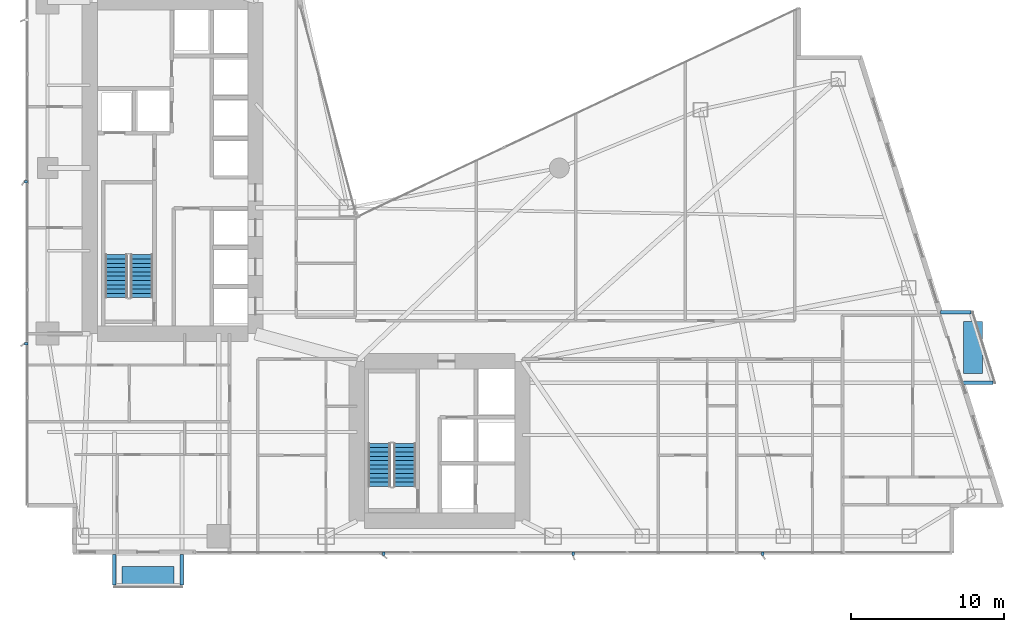
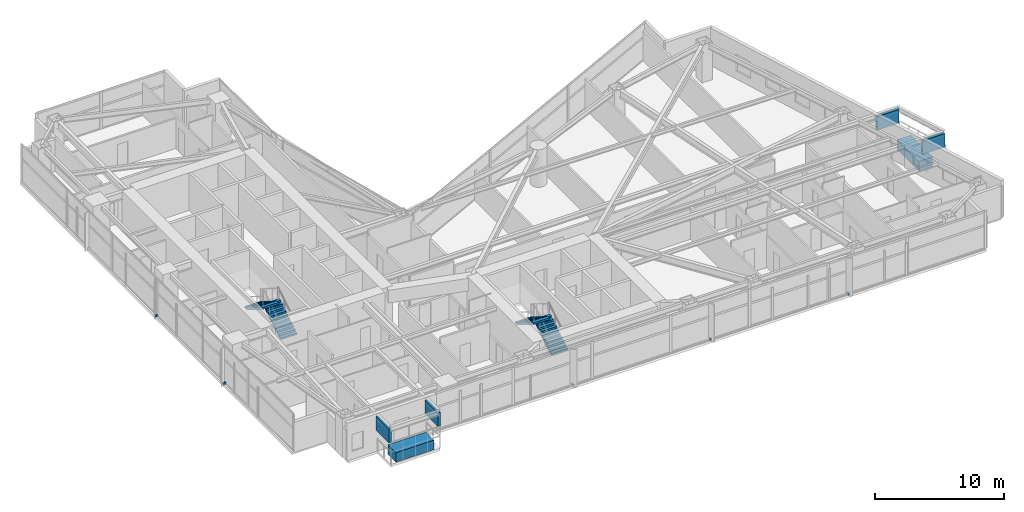
# One storey, part 26 of 29: 11 discrete accessories, 4 stair flights, 2 elements without a shape of their own.
"""IFC4 building model written with IfcOpenShell, lengths in metres."""

from ifc_helpers import new_model, si_unit, direction, frame, origin, origin_2d, place, context, subcontext, project, spatial, polyline, rectangle, outline, extrude, material, type_object, element, aggregate, save


model = new_model("IFC4")

# Units and contexts
model_context = context("Model", 3, precision=1e-05, world=origin(), true_north=direction((0.0, 1.0)))
body_context = subcontext(model_context, "Body", "Model", "MODEL_VIEW")
ifc_project = project(units=[si_unit("LENGTHUNIT", "METRE"), si_unit("AREAUNIT", "SQUARE_METRE"), si_unit("VOLUMEUNIT", "CUBIC_METRE"), si_unit("PLANEANGLEUNIT", "RADIAN"), si_unit("MASSUNIT", "GRAM", prefix="KILO")], contexts=[model_context])

# Site, building, storey
site_placement = place(None, origin())
site = spatial("IfcSite", under=ifc_project, at=site_placement, CompositionType="ELEMENT")
building_placement = place(site_placement, origin())
building = spatial("IfcBuilding", under=site, at=building_placement, Name="Calvorn Quay Hotel", CompositionType="ELEMENT")
storey_placement = place(building_placement, frame((0.0, 0.0, 81.199951171875)))
storey = spatial("IfcBuildingStorey", under=building, at=storey_placement, Name="L19", CompositionType="ELEMENT", Elevation=81.199951171875)

# Stair, stair flights
ifc_material_1 = material(Name="Concrete C40", Category="concrete")
stair_type = type_object("IfcStairType", Name="STR-CORE-DOGLEG", PredefinedType="HALF_TURN_STAIR", material=ifc_material_1)
stair_1_placement = place(storey_placement, origin())
stair_1 = element("IfcStair", 1, at=stair_1_placement, inside=storey, type_object=stair_type, Name="L19 ST-W", PredefinedType="HALF_TURN_STAIR")
ifc_material_2 = material(Name="Concrete C40", Category="concrete")
stair_flight_type = type_object("IfcStairFlightType", Name="FLT-CORE-1550", PredefinedType="STRAIGHT", material=ifc_material_2)
stair_flight_1_placement = place(storey_placement, frame((7.574951171875, 19.14990234375, 0.0), z_axis=(0.0, 0.0, 1.0), x_axis=(0.0, 1.0, 0.0)))
stair_flight_1 = element("IfcStairFlight", 2, at=stair_flight_1_placement, type_object=stair_flight_type, Name="ST-W flight 1", NumberOfRisers=11, NumberOfTreads=10, PredefinedType="STRAIGHT", RiserHeight=0.172727273, TreadLength=0.28, context=body_context, shape_type="SweptSolid", body=[
    extrude(outline(polyline([(0.0, 0.0), (0.0, 0.172607421875), (0.280029296875, 0.172607421875), (0.280029296875, 0.345458984375), (0.56005859375, 0.345458984375), (0.56005859375, 0.51806640625), (0.840087890625, 0.51806640625), (0.840087890625, 0.69091796875), (1.1201171875, 0.69091796875), (1.1201171875, 0.863525390625), (1.39990234375, 0.863525390625), (1.39990234375, 1.036376953125), (1.679931640625, 1.036376953125), (1.679931640625, 1.208984375), (1.9599609375, 1.208984375), (1.9599609375, 1.3818359375), (2.239990234375, 1.3818359375), (2.239990234375, 1.554443359375), (2.52001953125, 1.554443359375), (2.52001953125, 1.727294921875), (2.800048828125, 1.727294921875), (2.800048828125, 1.89990234375), (2.800048828125, 1.551025390625), (0.285400390625, 0.0), (0.0, 0.0)])), frame((0.0, 0.72509765625, 0.0), z_axis=(0.0, -1.0, 0.0), x_axis=(1.0, 0.0, 0.0)), (0.0, 0.0, 1.0), 1.449951171875),
])
stair_flight_2_placement = place(storey_placement, frame((5.925048828125, 21.949951171875, 1.900146484375), z_axis=(0.0, 0.0, 1.0), x_axis=(0.0, -1.0, 0.0)))
stair_flight_2 = element("IfcStairFlight", 3, at=stair_flight_2_placement, type_object=stair_flight_type, Name="ST-W flight 2", NumberOfRisers=11, NumberOfTreads=10, PredefinedType="STRAIGHT", RiserHeight=0.172727273, TreadLength=0.28, context=body_context, shape_type="SweptSolid", body=[
    extrude(outline(polyline([(0.0, 0.0), (0.0, 0.172607421875), (0.280029296875, 0.172607421875), (0.280029296875, 0.345458984375), (0.56005859375, 0.345458984375), (0.56005859375, 0.51806640625), (0.840087890625, 0.51806640625), (0.840087890625, 0.69091796875), (1.1201171875, 0.69091796875), (1.1201171875, 0.863525390625), (1.39990234375, 0.863525390625), (1.39990234375, 1.036376953125), (1.679931640625, 1.036376953125), (1.679931640625, 1.208984375), (1.9599609375, 1.208984375), (1.9599609375, 1.3818359375), (2.239990234375, 1.3818359375), (2.239990234375, 1.554443359375), (2.52001953125, 1.554443359375), (2.52001953125, 1.727294921875), (2.800048828125, 1.727294921875), (2.800048828125, 1.89990234375), (2.800048828125, 1.551025390625), (0.285400390625, 0.0), (0.0, 0.0)])), frame((0.0, 0.72509765625, 0.0), z_axis=(0.0, -1.0, 0.0), x_axis=(1.0, 0.0, 0.0)), (0.0, 0.0, 1.0), 1.449951171875),
])
aggregate(stair_1, [stair_flight_1, stair_flight_2])

stair_2_placement = place(storey_placement, origin())
stair_2 = element("IfcStair", 4, at=stair_2_placement, inside=storey, type_object=stair_type, Name="L19 ST-E", PredefinedType="HALF_TURN_STAIR")
stair_flight_3_placement = place(storey_placement, frame((24.72509765625, 6.85009765625, 0.0), z_axis=(0.0, 0.0, 1.0), x_axis=(0.0, 1.0, 0.0)))
stair_flight_3 = element("IfcStairFlight", 5, at=stair_flight_3_placement, type_object=stair_flight_type, Name="ST-E flight 1", NumberOfRisers=11, NumberOfTreads=10, PredefinedType="STRAIGHT", RiserHeight=0.172727273, TreadLength=0.28, context=body_context, shape_type="SweptSolid", body=[
    extrude(outline(polyline([(0.0, 0.0), (0.0, 0.172607421875), (0.280029296875, 0.172607421875), (0.280029296875, 0.345458984375), (0.56005859375, 0.345458984375), (0.56005859375, 0.51806640625), (0.840087890625, 0.51806640625), (0.840087890625, 0.69091796875), (1.1201171875, 0.69091796875), (1.1201171875, 0.863525390625), (1.39990234375, 0.863525390625), (1.39990234375, 1.036376953125), (1.679931640625, 1.036376953125), (1.679931640625, 1.208984375), (1.9599609375, 1.208984375), (1.9599609375, 1.3818359375), (2.239990234375, 1.3818359375), (2.239990234375, 1.554443359375), (2.52001953125, 1.554443359375), (2.52001953125, 1.727294921875), (2.800048828125, 1.727294921875), (2.800048828125, 1.89990234375), (2.800048828125, 1.551025390625), (0.285400390625, 0.0), (0.0, 0.0)])), frame((0.0, 0.72509765625, 0.0), z_axis=(0.0, -1.0, 0.0), x_axis=(1.0, 0.0, 0.0)), (0.0, 0.0, 1.0), 1.449951171875),
])
stair_flight_4_placement = place(storey_placement, frame((23.074951171875, 9.64990234375, 1.900146484375), z_axis=(0.0, 0.0, 1.0), x_axis=(0.0, -1.0, 0.0)))
stair_flight_4 = element("IfcStairFlight", 6, at=stair_flight_4_placement, type_object=stair_flight_type, Name="ST-E flight 2", NumberOfRisers=11, NumberOfTreads=10, PredefinedType="STRAIGHT", RiserHeight=0.172727273, TreadLength=0.28, context=body_context, shape_type="SweptSolid", body=[
    extrude(outline(polyline([(0.0, 0.0), (0.0, 0.172607421875), (0.280029296875, 0.172607421875), (0.280029296875, 0.345458984375), (0.56005859375, 0.345458984375), (0.56005859375, 0.51806640625), (0.840087890625, 0.51806640625), (0.840087890625, 0.69091796875), (1.1201171875, 0.69091796875), (1.1201171875, 0.863525390625), (1.39990234375, 0.863525390625), (1.39990234375, 1.036376953125), (1.679931640625, 1.036376953125), (1.679931640625, 1.208984375), (1.9599609375, 1.208984375), (1.9599609375, 1.3818359375), (2.239990234375, 1.3818359375), (2.239990234375, 1.554443359375), (2.52001953125, 1.554443359375), (2.52001953125, 1.727294921875), (2.800048828125, 1.727294921875), (2.800048828125, 1.89990234375), (2.800048828125, 1.551025390625), (0.285400390625, 0.0), (0.0, 0.0)])), frame((0.0, 0.72509765625, 0.0), z_axis=(0.0, -1.0, 0.0), x_axis=(1.0, 0.0, 0.0)), (0.0, 0.0, 1.0), 1.449951171875),
])
aggregate(stair_2, [stair_flight_3, stair_flight_4])

# Discrete accessories
ifc_material_3 = material(Name="Steel Q355B", Category="steel")
discrete_accessory_type_1 = type_object("IfcDiscreteAccessoryType", Name="ACC-BALC-STRUT", PredefinedType="BRACKET", material=ifc_material_3)
for number, where, z_axis, x_axis, name in (
    (7, (62.073974609375, 13.60009765625, 2.01513671875), (0.0, 0.0, 1.0), (1.0, 0.0, 0.0), "Exterior Balcony Steel Bracket L20-BALC-E-A"),
    (8, (60.625, 18.199951171875, 2.01513671875), (0.0, 0.0, 1.0), (1.0, 0.0, 0.0), "Exterior Balcony Steel Bracket L20-BALC-E-B"),
):
    element("IfcDiscreteAccessory", number, at=place(storey_placement, frame(where, z_axis=z_axis, x_axis=x_axis)), inside=storey, type_object=discrete_accessory_type_1, Name=name, PredefinedType="BRACKET", context=body_context, shape_type="SweptSolid", body=[
        extrude(rectangle(XDim=1.989990234375, YDim=0.219970703125, at=origin_2d()), origin(), (0.0, 0.0, 1.0), 1.300048828125),
    ])
for number, where, z_axis, x_axis, name in (
    (9, (5.800048828125, 1.405029296875, 2.01513671875), (0.0, 0.0, 1.0), (1.0, 0.0, 0.0), "Exterior Balcony Steel Bracket L20-BALC-S-A"),
    (10, (10.199951171875, 1.405029296875, 2.01513671875), (0.0, 0.0, 1.0), (1.0, 0.0, 0.0), "Exterior Balcony Steel Bracket L20-BALC-S-B"),
):
    element("IfcDiscreteAccessory", number, at=place(storey_placement, frame(where, z_axis=z_axis, x_axis=x_axis)), inside=storey, type_object=discrete_accessory_type_1, Name=name, PredefinedType="BRACKET", context=body_context, shape_type="SweptSolid", body=[
        extrude(rectangle(XDim=0.219970703125, YDim=1.989990234375, at=origin_2d()), origin(), (0.0, 0.0, 1.0), 1.300048828125),
    ])
ifc_material_4 = material(Name="Steel Q355B", Category="steel")
discrete_accessory_type_2 = type_object("IfcDiscreteAccessoryType", Name="ACC-FIN-BRACKET", PredefinedType="BRACKET", material=ifc_material_4)
for number, where, z_axis, x_axis, name in (
    (11, (0.06005859375, 16.14990234375, 0.0302734375), (0.0, 0.0, 1.0), (1.0, 0.0, 0.0), "Fin Anchor Bracket L19-W01"),
    (12, (0.06005859375, 26.699951171875, 0.0302734375), (0.0, 0.0, 1.0), (1.0, 0.0, 0.0), "Fin Anchor Bracket L19-W02"),
    (13, (23.35009765625, 2.4599609375, 0.0302734375), (0.0, 0.0, 1.0), (0.0, 1.0, 0.0), "Fin Anchor Bracket L19-S01"),
    (14, (35.699951171875, 2.4599609375, 0.0302734375), (0.0, 0.0, 1.0), (0.0, 1.0, 0.0), "Fin Anchor Bracket L19-S02"),
    (15, (48.050048828125, 2.4599609375, 0.0302734375), (0.0, 0.0, 1.0), (0.0, 1.0, 0.0), "Fin Anchor Bracket L19-S03"),
):
    element("IfcDiscreteAccessory", number, at=place(storey_placement, frame(where, z_axis=z_axis, x_axis=x_axis)), inside=storey, type_object=discrete_accessory_type_2, Name=name, PredefinedType="BRACKET", context=body_context, shape_type="SweptSolid", body=[
        extrude(rectangle(XDim=0.239990234375, YDim=0.159912109375, at=origin_2d()), origin(), (0.0, 0.0, 1.0), 0.179931640625),
    ])
ifc_material_5 = material(Name="Precast concrete C40", Category="concrete")
discrete_accessory_type_3 = type_object("IfcDiscreteAccessoryType", Name="ACC-TREE-PLANTER", PredefinedType="USERDEFINED", material=ifc_material_5)
discrete_accessory_1_placement = place(storey_placement, frame((61.763916015625, 15.89990234375, 0.0), z_axis=(0.0, 0.0, 1.0), x_axis=(1.0, 0.0, 0.0)))
element("IfcDiscreteAccessory", 16, at=discrete_accessory_1_placement, inside=storey, type_object=discrete_accessory_type_3, Name="Subtropical Tree Structural Planter L19-BALC-E", ObjectType="PLANTER", PredefinedType="USERDEFINED", context=body_context, shape_type="SweptSolid", body=[
    extrude(rectangle(XDim=1.25, YDim=3.39990234375, at=origin_2d()), origin(), (0.0, 0.0, 1.0), 0.89990234375),
])
discrete_accessory_2_placement = place(storey_placement, frame((8.0, 0.989990234375, 0.0), z_axis=(0.0, 0.0, 1.0), x_axis=(1.0, 0.0, 0.0)))
element("IfcDiscreteAccessory", 17, at=discrete_accessory_2_placement, inside=storey, type_object=discrete_accessory_type_3, Name="Subtropical Tree Structural Planter L19-BALC-S", ObjectType="PLANTER", PredefinedType="USERDEFINED", context=body_context, shape_type="SweptSolid", body=[
    extrude(rectangle(XDim=3.39990234375, YDim=1.25, at=origin_2d()), origin(), (0.0, 0.0, 1.0), 0.89990234375),
])

save(model, "model.ifc")
